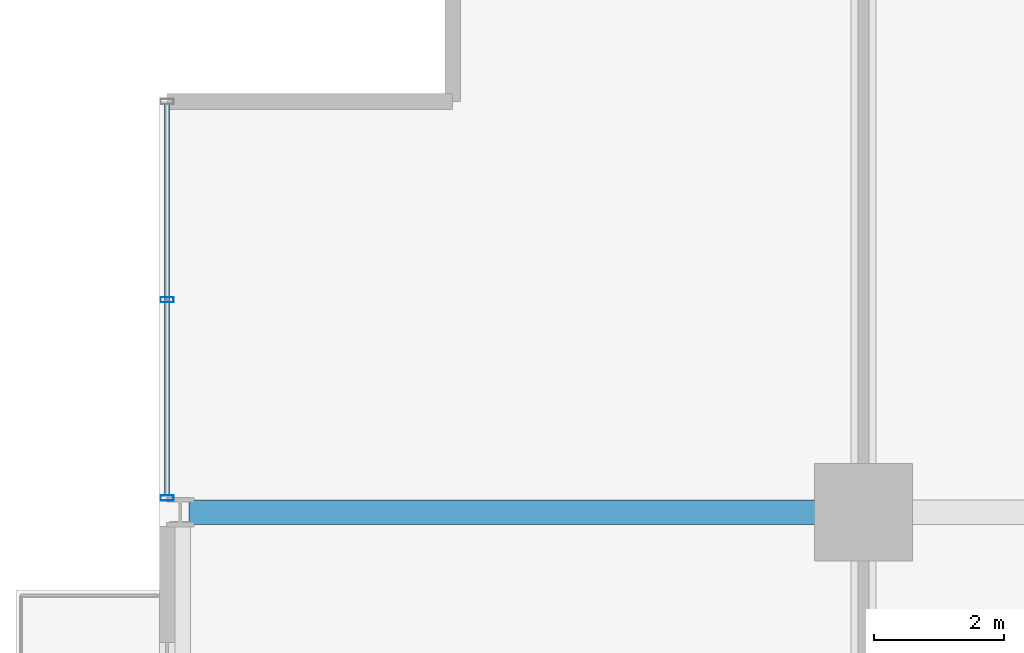
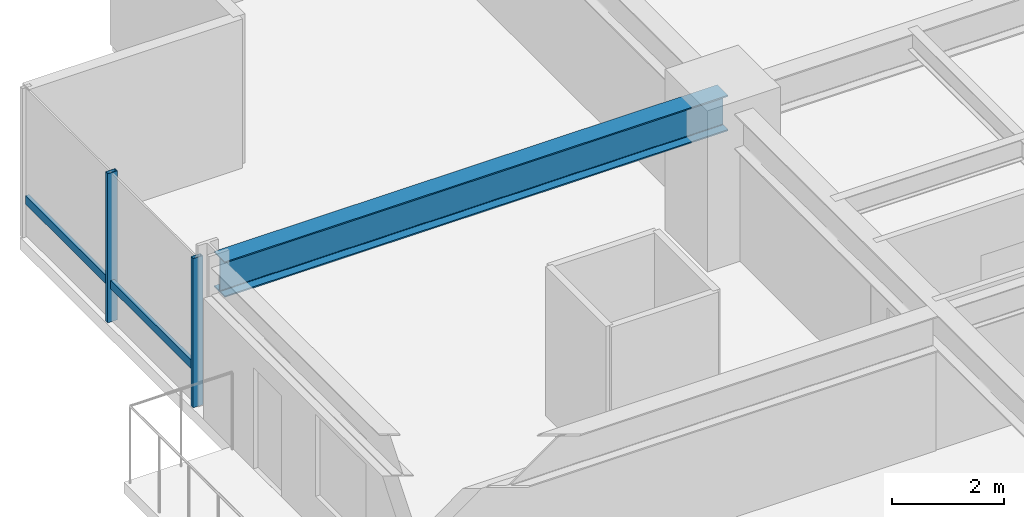
# One storey, part 18 of 34: 3 members, 1 beam, 1 element without a shape of its own.
"""IFC4 building model written with IfcOpenShell, lengths in metres."""

from ifc_helpers import new_model, si_unit, direction, frame, origin, origin_2d, place, context, subcontext, project, spatial, hollow_rectangle, i_section, extrude, material, layer, layer_set, material_profile, profile_set, type_object, element, aggregate, save


model = new_model("IFC4")

# Units and contexts
model_context = context("Model", 3, precision=1e-05, world=origin(), true_north=direction((0.0, 1.0)))
body_context = subcontext(model_context, "Body", "Model", "MODEL_VIEW")
ifc_project = project(units=[si_unit("LENGTHUNIT", "METRE"), si_unit("AREAUNIT", "SQUARE_METRE"), si_unit("VOLUMEUNIT", "CUBIC_METRE"), si_unit("PLANEANGLEUNIT", "RADIAN"), si_unit("MASSUNIT", "GRAM", prefix="KILO")], contexts=[model_context])

# Site, building, storey
site_placement = place(None, origin())
site = spatial("IfcSite", under=ifc_project, at=site_placement, CompositionType="ELEMENT")
building_placement = place(site_placement, origin())
building = spatial("IfcBuilding", under=site, at=building_placement, Name="Drelvath Grand Hotel", CompositionType="ELEMENT")
storey_placement = place(building_placement, frame((0.0, 0.0, 102.300048828125)))
storey = spatial("IfcBuildingStorey", under=building, at=storey_placement, Name="L25", CompositionType="ELEMENT", Elevation=102.300048828125)

# Curtain wall, members
ifc_material_1 = material(Name="Champagne Bronze Anodised Aluminium Frame", Category="aluminium")
ifc_layer = layer(ifc_material_1, 0.199951171875)
ifc_layer_set = layer_set([ifc_layer], Name="Champagne Bronze Anodised Aluminium Frame")
curtain_wall_type = type_object("IfcCurtainWallType", Name="Stick Curtain Wall CW-03 Champagne Bronze Mid-Rise", PredefinedType="NOTDEFINED", material=ifc_layer_set)
curtain_wall_placement = place(storey_placement, origin())
curtain_wall = element("IfcCurtainWall", 1, at=curtain_wall_placement, inside=storey, type_object=curtain_wall_type, Name="L25 CW-03 Curtain Wall CW03-L25-WN3", PredefinedType="NOTDEFINED")
ifc_material_profile_1 = material_profile(ifc_material_1, hollow_rectangle(XDim=0.074951171875, YDim=0.179931640625, WallThickness=0.0048828125, at=origin_2d()), Name="HSS180X75X5")
ifc_profile_set_1 = profile_set([ifc_material_profile_1], Name="Champagne Bronze Anodised Aluminium Frame")
member_type_1 = type_object("IfcMemberType", Name="Curtain Wall Horizontal Transom CW-03 HSS180X75X5", PredefinedType="USERDEFINED", material=ifc_profile_set_1)
member_1_placement = place(storey_placement, frame((-26.8798828125, 43.459716796875, 0.81005859375), z_axis=(0.0, 1.0, 0.0), x_axis=(-1.0, 0.0, 0.0)))
member_1 = element("IfcMember", 2, at=member_1_placement, type_object=member_type_1, Name="CW03-L25-WN3 Sill Transom", ObjectType="TRANSOM", PredefinedType="USERDEFINED", context=body_context, shape_type="SweptSolid", body=[
    extrude(hollow_rectangle(XDim=0.074951171875, YDim=0.179931640625, WallThickness=0.0048828125, at=origin_2d()), origin(), (0.0, 0.0, 1.0), 6.000244140625),
])
ifc_material_profile_2 = material_profile(ifc_material_1, hollow_rectangle(XDim=0.080078125, YDim=0.199951171875, WallThickness=0.0048828125, at=origin_2d()), Name="HSS200X80X5")
ifc_profile_set_2 = profile_set([ifc_material_profile_2], Name="Champagne Bronze Anodised Aluminium Frame")
member_type_2 = type_object("IfcMemberType", Name="Curtain Wall Vertical Mullion CW-03 HSS200X80X5", PredefinedType="MULLION", material=ifc_profile_set_2)
member_2_placement = place(storey_placement, frame((-26.8798828125, 43.419677734375, 0.0), z_axis=(0.0, 0.0, 1.0), x_axis=(0.0, 1.0, 0.0)))
member_2 = element("IfcMember", 3, at=member_2_placement, type_object=member_type_2, Name="CW03-L25-WN3 Mullion 1", PredefinedType="MULLION", context=body_context, shape_type="SweptSolid", body=[
    extrude(hollow_rectangle(XDim=0.080078125, YDim=0.199951171875, WallThickness=0.0048828125, at=origin_2d()), origin(), (0.0, 0.0, 1.0), 3.239990234375),
])
member_3_placement = place(storey_placement, frame((-26.8798828125, 46.459716796875, 0.0), z_axis=(0.0, 0.0, 1.0), x_axis=(0.0, 1.0, 0.0)))
member_3 = element("IfcMember", 4, at=member_3_placement, type_object=member_type_2, Name="CW03-L25-WN3 Mullion 2", PredefinedType="MULLION", context=body_context, shape_type="SweptSolid", body=[
    extrude(hollow_rectangle(XDim=0.080078125, YDim=0.199951171875, WallThickness=0.0048828125, at=origin_2d()), origin(), (0.0, 0.0, 1.0), 3.239990234375),
])
aggregate(curtain_wall, [member_2, member_3, member_1])

# Beam
ifc_material_2 = material(Name="Steel ASTM A992 Gr 50", Category="steel")
ifc_material_profile_3 = material_profile(ifc_material_2, i_section(OverallWidth=0.380615234375, OverallDepth=0.773193359375, WebThickness=0.0166015625, FlangeThickness=0.027099609375, FilletRadius=0.02490234375, at=origin_2d()), Name="W30X173")
ifc_profile_set_3 = profile_set([ifc_material_profile_3], Name="Steel ASTM A992 Gr 50")
beam_type = type_object("IfcBeamType", Name="Primary Floor Girder W30X173", PredefinedType="BEAM", material=ifc_profile_set_3)
beam_placement = place(storey_placement, frame((-26.5400390625, 43.199951171875, 2.853271484375), z_axis=(1.0, 0.0, 0.0), x_axis=(0.0, 1.0, 0.0)))
element("IfcBeam", 5, at=beam_placement, inside=storey, type_object=beam_type, Name="L25 West Grid Girder G", PredefinedType="BEAM", context=body_context, shape_type="SweptSolid", body=[
    extrude(i_section(OverallWidth=0.380615234375, OverallDepth=0.773193359375, WebThickness=0.0166015625, FlangeThickness=0.027099609375, FilletRadius=0.02490234375, at=origin_2d()), origin(), (0.0, 0.0, 1.0), 10.340087890625),
])

save(model, "model.ifc")
